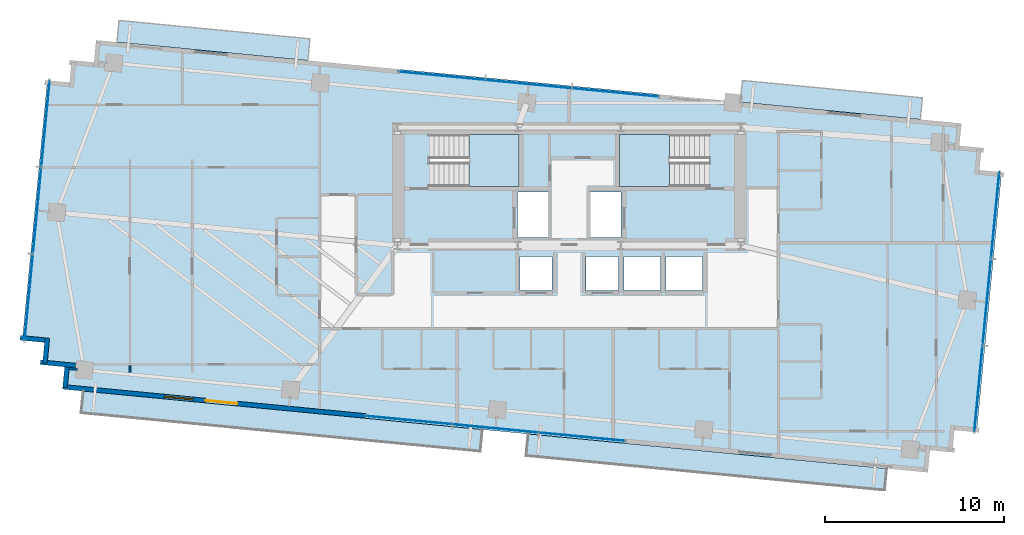
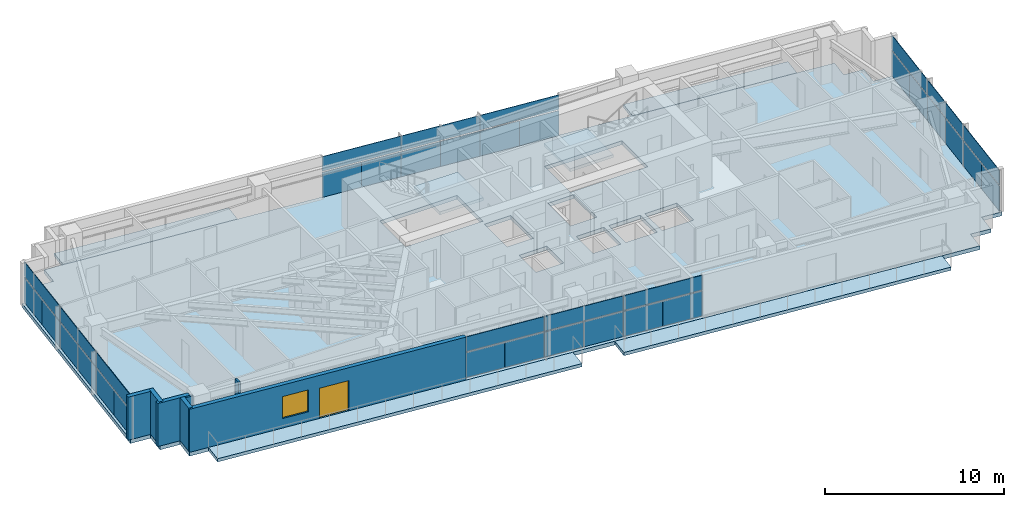
# One storey, part 13 of 19: 36 plates, 7 slabs, 7 walls, 1 door, 1 window, 2 openings, 6 elements without a shape of their own.
"""IFC4 building model written with IfcOpenShell, lengths in metres."""

from ifc_helpers import new_model, si_unit, direction, frame, frame_2d, origin, origin_2d, place, context, subcontext, project, spatial, polyline, rectangle, outline, extrude, source, transform, mapped, material, layer, layer_set, type_object, type_shapes, element, fill, aggregate, save


model = new_model("IFC4")

# Units and contexts
model_context = context("Model", 3, precision=1e-05, world=origin(), true_north=direction((0.0, 1.0)))
body_context = subcontext(model_context, "Body", "Model", "MODEL_VIEW")
ifc_project = project(units=[si_unit("LENGTHUNIT", "METRE"), si_unit("AREAUNIT", "SQUARE_METRE"), si_unit("VOLUMEUNIT", "CUBIC_METRE"), si_unit("PLANEANGLEUNIT", "RADIAN"), si_unit("MASSUNIT", "GRAM", prefix="KILO")], contexts=[model_context])

# Site, building, storey
site_placement = place(None, origin())
site = spatial("IfcSite", under=ifc_project, at=site_placement, CompositionType="ELEMENT")
building_placement = place(site_placement, origin())
building = spatial("IfcBuilding", under=site, at=building_placement, Name="Astriad Promenade Condominiums", CompositionType="ELEMENT")
storey_placement = place(building_placement, frame((0.0, 0.0, 143.800048828125)))
storey = spatial("IfcBuildingStorey", under=building, at=storey_placement, Name="L41", CompositionType="ELEMENT", Elevation=143.800048828125)

# Slab
ifc_material_1 = material(Name="Concrete C50/60", Category="concrete")
ifc_layer_1 = layer(ifc_material_1, 0.260009765625)
ifc_layer_set_1 = layer_set([ifc_layer_1], Name="Concrete C50/60")
slab_type_1 = type_object("IfcSlabType", Name="CONCRETE TOWER FLOOR SLAB 260", PredefinedType="FLOOR", material=ifc_layer_set_1)
slab_1_placement = place(storey_placement, frame((0.0, 0.0, -0.260009765625)))
element("IfcSlab", 1, at=slab_1_placement, inside=storey, type_object=slab_type_1, Name="Structural Floor Slab (L41)", PredefinedType="FLOOR", context=body_context, shape_type="SweptSolid", body=[
    extrude(outline(polyline([(7.672607421875, 9.374267578125), (56.048828125, 4.716064453125), (56.168701171875, 5.960205078125), (57.412841796875, 5.840576171875), (57.53271484375, 7.084716796875), (58.77685546875, 6.96484375), (60.17626953125, 21.497802734375), (58.931884765625, 21.617431640625), (59.052001953125, 22.86181640625), (57.8076171875, 22.981689453125), (57.927490234375, 24.225830078125), (9.55126953125, 28.8837890625), (9.431396484375, 27.6396484375), (8.18701171875, 27.759521484375), (8.0673828125, 26.515380859375), (6.822998046875, 26.635009765625), (5.423583984375, 12.102294921875), (6.66796875, 11.982421875), (6.548095703125, 10.73828125), (7.79248046875, 10.618408203125), (7.672607421875, 9.374267578125)]), holes=[polyline([(28.175048828125, 20.699951171875), (33.175048828125, 20.699951171875), (33.175048828125, 23.60009765625), (28.175048828125, 23.60009765625), (28.175048828125, 20.699951171875)]), polyline([(38.824951171875, 20.699951171875), (43.824951171875, 20.699951171875), (43.824951171875, 23.60009765625), (38.824951171875, 23.60009765625), (38.824951171875, 20.699951171875)]), polyline([(33.10009765625, 17.85009765625), (34.800048828125, 17.85009765625), (34.800048828125, 20.39990234375), (33.10009765625, 20.39990234375), (33.10009765625, 17.85009765625)]), polyline([(37.199951171875, 17.85009765625), (38.89990234375, 17.85009765625), (38.89990234375, 20.39990234375), (37.199951171875, 20.39990234375), (37.199951171875, 17.85009765625)]), polyline([(33.25, 14.89990234375), (35.050048828125, 14.89990234375), (35.050048828125, 16.800048828125), (33.25, 16.800048828125), (33.25, 14.89990234375)]), polyline([(36.949951171875, 14.89990234375), (38.75, 14.89990234375), (38.75, 16.800048828125), (36.949951171875, 16.800048828125), (36.949951171875, 14.89990234375)]), polyline([(39.050048828125, 14.89990234375), (41.10009765625, 14.89990234375), (41.10009765625, 16.800048828125), (39.050048828125, 16.800048828125), (39.050048828125, 14.89990234375)]), polyline([(41.39990234375, 14.89990234375), (43.449951171875, 14.89990234375), (43.449951171875, 16.800048828125), (41.39990234375, 16.800048828125), (41.39990234375, 14.89990234375)])]), origin(), (0.0, 0.0, 1.0), 0.260009765625),
])

# Stair, slab
stair_type = type_object("IfcStairType", Name="STR-CORE-1350", PredefinedType="HALF_TURN_STAIR", material=ifc_material_1)
stair_1_placement = place(storey_placement, origin())
stair_1 = element("IfcStair", 2, at=stair_1_placement, inside=storey, type_object=stair_type, Name="L41 Enclosed Core Exit Stair ST-1", PredefinedType="HALF_TURN_STAIR")
ifc_layer_2 = layer(ifc_material_1, 0.219970703125)
ifc_layer_set_2 = layer_set([ifc_layer_2], Name="Concrete C50/60")
slab_type_2 = type_object("IfcSlabType", Name="SLB-LANDING-220", PredefinedType="LANDING", material=ifc_layer_set_2)
slab_2_placement = place(storey_placement, frame((0.0, 0.0, 1.39990234375)))
slab_2 = element("IfcSlab", 3, at=slab_2_placement, type_object=slab_type_2, Name="ST-1 landing 1", PredefinedType="LANDING", context=body_context, shape_type="SweptSolid", body=[
    extrude(outline(polyline([(30.389892578125, 20.699951171875), (33.199951171875, 20.699951171875), (33.199951171875, 23.60009765625), (30.389892578125, 23.60009765625), (30.389892578125, 20.699951171875)])), origin(), (0.0, 0.0, 1.0), 0.199951171875),
])
aggregate(stair_1, [slab_2])

stair_2_placement = place(storey_placement, origin())
stair_2 = element("IfcStair", 4, at=stair_2_placement, inside=storey, type_object=stair_type, Name="L41 Enclosed Core Exit Stair ST-2", PredefinedType="HALF_TURN_STAIR")
slab_3_placement = place(storey_placement, frame((0.0, 0.0, 1.39990234375)))
slab_3 = element("IfcSlab", 5, at=slab_3_placement, type_object=slab_type_2, Name="ST-2 landing 1", PredefinedType="LANDING", context=body_context, shape_type="SweptSolid", body=[
    extrude(outline(polyline([(41.610107421875, 23.60009765625), (38.800048828125, 23.60009765625), (38.800048828125, 20.699951171875), (41.610107421875, 20.699951171875), (41.610107421875, 23.60009765625)])), origin(), (0.0, 0.0, 1.0), 0.199951171875),
])
aggregate(stair_2, [slab_3])

# Slabs
ifc_material_2 = material(Name="Precast concrete C50/60", Category="concrete")
ifc_layer_3 = layer(ifc_material_2, 0.219970703125)
ifc_layer_set_3 = layer_set([ifc_layer_3], Name="Precast concrete C50/60")
slab_type_3 = type_object("IfcSlabType", Name="WHITE PRECAST CONCRETE WAVE BALCONY SLAB 220", PredefinedType="FLOOR", material=ifc_layer_set_3)
slab_4_placement = place(storey_placement, frame((0.0, 0.0, -0.219970703125)))
element("IfcSlab", 6, at=slab_4_placement, inside=storey, type_object=slab_type_3, Name="White Precast Wave Balcony Slab BAL-L41-SW", PredefinedType="FLOOR", context=body_context, shape_type="SweptSolid", body=[
    extrude(outline(polyline([(8.71728515625, 8.0478515625), (31.025146484375, 5.89990234375), (31.14208984375, 7.1142578125), (8.834228515625, 9.26220703125), (8.71728515625, 8.0478515625)])), origin(), (0.0, 0.0, 1.0), 0.219970703125),
])
slab_5_placement = place(storey_placement, frame((0.0, 0.0, -0.219970703125)))
element("IfcSlab", 7, at=slab_5_placement, inside=storey, type_object=slab_type_3, Name="White Precast Wave Balcony Slab BAL-L41-SE", PredefinedType="FLOOR", context=body_context, shape_type="SweptSolid", body=[
    extrude(outline(polyline([(53.631591796875, 3.72314453125), (33.59130859375, 5.65283203125), (33.7080078125, 6.865234375), (53.748291015625, 4.935546875), (53.631591796875, 3.72314453125)])), origin(), (0.0, 0.0, 1.0), 0.219970703125),
])
slab_6_placement = place(storey_placement, frame((0.0, 0.0, -0.219970703125)))
element("IfcSlab", 8, at=slab_6_placement, inside=storey, type_object=slab_type_3, Name="White Precast Wave Balcony Slab BAL-L41-NW", PredefinedType="FLOOR", context=body_context, shape_type="SweptSolid", body=[
    extrude(outline(polyline([(10.712890625, 28.772216796875), (21.386474609375, 27.744384765625), (21.50341796875, 28.958740234375), (10.82958984375, 29.986572265625), (10.712890625, 28.772216796875)])), origin(), (0.0, 0.0, 1.0), 0.219970703125),
])
slab_7_placement = place(storey_placement, frame((0.0, 0.0, -0.219970703125)))
element("IfcSlab", 9, at=slab_7_placement, inside=storey, type_object=slab_type_3, Name="White Precast Wave Balcony Slab BAL-L41-NE", PredefinedType="FLOOR", context=body_context, shape_type="SweptSolid", body=[
    extrude(outline(polyline([(45.681396484375, 26.630615234375), (55.743896484375, 25.66162109375), (55.627197265625, 24.44921875), (45.564697265625, 25.418212890625), (45.681396484375, 26.630615234375)])), origin(), (0.0, 0.0, 1.0), 0.219970703125),
])

# Curtain wall, plates
ifc_material_3 = material(Name="Anodised aluminium Black Dark Glass Unitised", Category="aluminium")
curtain_wall_type = type_object("IfcCurtainWallType", Name="CW-B34-DARK", PredefinedType="USERDEFINED", material=ifc_material_3)
curtain_wall_1_placement = place(storey_placement, origin())
curtain_wall_1 = element("IfcCurtainWall", 10, at=curtain_wall_1_placement, inside=storey, type_object=curtain_wall_type, Name="CW-L41-W", ObjectType="UNITISED_CURTAIN_WALL", PredefinedType="USERDEFINED")
ifc_material_4 = material(Name="Dark Tinted Low-E Laminated Glass", Category="glass")
ifc_layer_4 = layer(ifc_material_4, 0.035888671875)
ifc_layer_set_4 = layer_set([ifc_layer_4], Name="Dark Tinted Low-E Laminated Glass")
plate_type = type_object("IfcPlateType", Name="PNL-DARK-GLASS-36", PredefinedType="CURTAIN_PANEL", material=ifc_layer_set_4)
shared_shape_1 = source(origin(), body_context, "Body", "SweptSolid", [
    extrude(rectangle(XDim=2.42138671875, YDim=0.035888671875, at=origin_2d()), origin(), (0.0, 0.0, 1.0), 1.702880859375),
])
plate_1_placement = place(storey_placement, frame((5.669677734375, 13.30078125, 0.080078125), z_axis=(0.0, 0.0, 1.0), x_axis=(0.09584575252, 0.995396198367, 0.0)))
plate_1 = element("IfcPlate", 11, at=plate_1_placement, type_object=plate_type, Name="CW-L41-W-PNL-00-VL", PredefinedType="CURTAIN_PANEL", context=body_context, shape_type="MappedRepresentation", body=[
    mapped(shared_shape_1, transform((0.0, 0.0, 0.0), scale=1.0)),
])
plate_2_placement = place(storey_placement, frame((5.903076171875, 15.722900390625, 0.080078125), z_axis=(0.0, 0.0, 1.0), x_axis=(0.09584575252, 0.995396198367, 0.0)))
plate_2 = element("IfcPlate", 12, at=plate_2_placement, type_object=plate_type, Name="CW-L41-W-PNL-00-VR", PredefinedType="CURTAIN_PANEL", context=body_context, shape_type="MappedRepresentation", body=[
    mapped(shared_shape_1, transform((0.0, 0.0, 0.0), scale=1.0)),
])
plate_3_placement = place(storey_placement, frame((6.13623046875, 18.145263671875, 0.080078125), z_axis=(0.0, 0.0, 1.0), x_axis=(0.09584575252, 0.995396198367, 0.0)))
plate_3 = element("IfcPlate", 13, at=plate_3_placement, type_object=plate_type, Name="CW-L41-W-PNL-01-VL", PredefinedType="CURTAIN_PANEL", context=body_context, shape_type="MappedRepresentation", body=[
    mapped(shared_shape_1, transform((0.0, 0.0, 0.0), scale=1.0)),
])
plate_4_placement = place(storey_placement, frame((6.369384765625, 20.5673828125, 0.080078125), z_axis=(0.0, 0.0, 1.0), x_axis=(0.09584575252, 0.995396198367, 0.0)))
plate_4 = element("IfcPlate", 14, at=plate_4_placement, type_object=plate_type, Name="CW-L41-W-PNL-01-VR", PredefinedType="CURTAIN_PANEL", context=body_context, shape_type="MappedRepresentation", body=[
    mapped(shared_shape_1, transform((0.0, 0.0, 0.0), scale=1.0)),
])
plate_5_placement = place(storey_placement, frame((6.6025390625, 22.989501953125, 0.080078125), z_axis=(0.0, 0.0, 1.0), x_axis=(0.09584575252, 0.995396198367, 0.0)))
plate_5 = element("IfcPlate", 15, at=plate_5_placement, type_object=plate_type, Name="CW-L41-W-PNL-02-VL", PredefinedType="CURTAIN_PANEL", context=body_context, shape_type="MappedRepresentation", body=[
    mapped(shared_shape_1, transform((0.0, 0.0, 0.0), scale=1.0)),
])
plate_6_placement = place(storey_placement, frame((6.8359375, 25.41162109375, 0.080078125), z_axis=(0.0, 0.0, 1.0), x_axis=(0.09584575252, 0.995396198367, 0.0)))
plate_6 = element("IfcPlate", 16, at=plate_6_placement, type_object=plate_type, Name="CW-L41-W-PNL-02-VR", PredefinedType="CURTAIN_PANEL", context=body_context, shape_type="MappedRepresentation", body=[
    mapped(shared_shape_1, transform((0.0, 0.0, 0.0), scale=1.0)),
])

curtain_wall_2_placement = place(storey_placement, origin())
curtain_wall_2 = element("IfcCurtainWall", 17, at=curtain_wall_2_placement, inside=storey, type_object=curtain_wall_type, Name="CW-L41-E", ObjectType="UNITISED_CURTAIN_WALL", PredefinedType="USERDEFINED")
plate_7_placement = place(storey_placement, frame((59.930419921875, 20.299072265625, 0.080078125), z_axis=(0.0, 0.0, 1.0), x_axis=(-0.09584575252, -0.995396198367, 0.0)))
plate_7 = element("IfcPlate", 18, at=plate_7_placement, type_object=plate_type, Name="CW-L41-E-PNL-00-VL", PredefinedType="CURTAIN_PANEL", context=body_context, shape_type="MappedRepresentation", body=[
    mapped(shared_shape_1, transform((0.0, 0.0, 0.0), scale=1.0)),
])
plate_8_placement = place(storey_placement, frame((59.697021484375, 17.876953125, 0.080078125), z_axis=(0.0, 0.0, 1.0), x_axis=(-0.09584575252, -0.995396198367, 0.0)))
plate_8 = element("IfcPlate", 19, at=plate_8_placement, type_object=plate_type, Name="CW-L41-E-PNL-00-VR", PredefinedType="CURTAIN_PANEL", context=body_context, shape_type="MappedRepresentation", body=[
    mapped(shared_shape_1, transform((0.0, 0.0, 0.0), scale=1.0)),
])
plate_9_placement = place(storey_placement, frame((59.4638671875, 15.454833984375, 0.080078125), z_axis=(0.0, 0.0, 1.0), x_axis=(-0.09584575252, -0.995396198367, 0.0)))
plate_9 = element("IfcPlate", 20, at=plate_9_placement, type_object=plate_type, Name="CW-L41-E-PNL-01-VL", PredefinedType="CURTAIN_PANEL", context=body_context, shape_type="MappedRepresentation", body=[
    mapped(shared_shape_1, transform((0.0, 0.0, 0.0), scale=1.0)),
])
plate_10_placement = place(storey_placement, frame((59.230712890625, 13.03271484375, 0.080078125), z_axis=(0.0, 0.0, 1.0), x_axis=(-0.09584575252, -0.995396198367, 0.0)))
plate_10 = element("IfcPlate", 21, at=plate_10_placement, type_object=plate_type, Name="CW-L41-E-PNL-01-VR", PredefinedType="CURTAIN_PANEL", context=body_context, shape_type="MappedRepresentation", body=[
    mapped(shared_shape_1, transform((0.0, 0.0, 0.0), scale=1.0)),
])
plate_11_placement = place(storey_placement, frame((58.997314453125, 10.610595703125, 0.080078125), z_axis=(0.0, 0.0, 1.0), x_axis=(-0.09584575252, -0.995396198367, 0.0)))
plate_11 = element("IfcPlate", 22, at=plate_11_placement, type_object=plate_type, Name="CW-L41-E-PNL-02-VL", PredefinedType="CURTAIN_PANEL", context=body_context, shape_type="MappedRepresentation", body=[
    mapped(shared_shape_1, transform((0.0, 0.0, 0.0), scale=1.0)),
])
plate_12_placement = place(storey_placement, frame((58.76416015625, 8.1884765625, 0.080078125), z_axis=(0.0, 0.0, 1.0), x_axis=(-0.09584575252, -0.995396198367, 0.0)))
plate_12 = element("IfcPlate", 23, at=plate_12_placement, type_object=plate_type, Name="CW-L41-E-PNL-02-VR", PredefinedType="CURTAIN_PANEL", context=body_context, shape_type="MappedRepresentation", body=[
    mapped(shared_shape_1, transform((0.0, 0.0, 0.0), scale=1.0)),
])

# Plate
shared_shape_2 = source(origin(), body_context, "Body", "SweptSolid", [
    extrude(rectangle(XDim=4.854736328125, YDim=0.035888671875, at=origin_2d()), origin(), (0.0, 0.0, 1.0), 0.997314453125),
])
plate_13_placement = place(storey_placement, frame((5.786376953125, 14.511962890625, 1.86279296875), z_axis=(0.0, 0.0, 1.0), x_axis=(0.09584575252, 0.995396198367, 0.0)))
plate_13 = element("IfcPlate", 24, at=plate_13_placement, type_object=plate_type, Name="CW-L41-W-PNL-00-S", PredefinedType="CURTAIN_PANEL", context=body_context, shape_type="MappedRepresentation", body=[
    mapped(shared_shape_2, transform((0.0, 0.0, 0.0), scale=1.0)),
])

plate_14_placement = place(storey_placement, frame((6.252685546875, 19.356201171875, 1.86279296875), z_axis=(0.0, 0.0, 1.0), x_axis=(0.09584575252, 0.995396198367, 0.0)))
plate_14 = element("IfcPlate", 25, at=plate_14_placement, type_object=plate_type, Name="CW-L41-W-PNL-01-S", PredefinedType="CURTAIN_PANEL", context=body_context, shape_type="MappedRepresentation", body=[
    mapped(shared_shape_2, transform((0.0, 0.0, 0.0), scale=1.0)),
])

plate_15_placement = place(storey_placement, frame((6.71923828125, 24.200439453125, 1.86279296875), z_axis=(0.0, 0.0, 1.0), x_axis=(0.09584575252, 0.995396198367, 0.0)))
plate_15 = element("IfcPlate", 26, at=plate_15_placement, type_object=plate_type, Name="CW-L41-W-PNL-02-S", PredefinedType="CURTAIN_PANEL", context=body_context, shape_type="MappedRepresentation", body=[
    mapped(shared_shape_2, transform((0.0, 0.0, 0.0), scale=1.0)),
])

aggregate(curtain_wall_1, [plate_1, plate_2, plate_13, plate_3, plate_4, plate_14, plate_5, plate_6, plate_15])

plate_16_placement = place(storey_placement, frame((59.813720703125, 19.088134765625, 1.86279296875), z_axis=(0.0, 0.0, 1.0), x_axis=(-0.09584575252, -0.995396198367, 0.0)))
plate_16 = element("IfcPlate", 27, at=plate_16_placement, type_object=plate_type, Name="CW-L41-E-PNL-00-S", PredefinedType="CURTAIN_PANEL", context=body_context, shape_type="MappedRepresentation", body=[
    mapped(shared_shape_2, transform((0.0, 0.0, 0.0), scale=1.0)),
])

plate_17_placement = place(storey_placement, frame((59.34716796875, 14.243896484375, 1.86279296875), z_axis=(0.0, 0.0, 1.0), x_axis=(-0.09584575252, -0.995396198367, 0.0)))
plate_17 = element("IfcPlate", 28, at=plate_17_placement, type_object=plate_type, Name="CW-L41-E-PNL-01-S", PredefinedType="CURTAIN_PANEL", context=body_context, shape_type="MappedRepresentation", body=[
    mapped(shared_shape_2, transform((0.0, 0.0, 0.0), scale=1.0)),
])

plate_18_placement = place(storey_placement, frame((58.880615234375, 9.3994140625, 1.86279296875), z_axis=(0.0, 0.0, 1.0), x_axis=(-0.09584575252, -0.995396198367, 0.0)))
plate_18 = element("IfcPlate", 29, at=plate_18_placement, type_object=plate_type, Name="CW-L41-E-PNL-02-S", PredefinedType="CURTAIN_PANEL", context=body_context, shape_type="MappedRepresentation", body=[
    mapped(shared_shape_2, transform((0.0, 0.0, 0.0), scale=1.0)),
])

aggregate(curtain_wall_2, [plate_7, plate_8, plate_16, plate_9, plate_10, plate_17, plate_11, plate_12, plate_18])

# Curtain wall, plates
curtain_wall_3_placement = place(storey_placement, origin())
curtain_wall_3 = element("IfcCurtainWall", 30, at=curtain_wall_3_placement, inside=storey, type_object=curtain_wall_type, Name="CW-L41-N", ObjectType="UNITISED_CURTAIN_WALL", PredefinedType="USERDEFINED")
shared_shape_3 = source(origin(), body_context, "Body", "SweptSolid", [
    extrude(rectangle(XDim=2.41796875, YDim=0.035888671875, at=origin_2d()), origin(), (0.0, 0.0, 1.0), 1.702880859375),
])
plate_19_placement = place(storey_placement, frame((27.6796875, 27.0078125, 0.080078125), z_axis=(0.0, 0.0, 1.0), x_axis=(0.995396198367, -0.09584575252, 0.0)))
plate_19 = element("IfcPlate", 31, at=plate_19_placement, type_object=plate_type, Name="CW-L41-N-PNL-00-VL", PredefinedType="CURTAIN_PANEL", context=body_context, shape_type="MappedRepresentation", body=[
    mapped(shared_shape_3, transform((0.0, 0.0, 0.0), scale=1.0)),
])
plate_20_placement = place(storey_placement, frame((30.0986328125, 26.77490234375, 0.080078125), z_axis=(0.0, 0.0, 1.0), x_axis=(0.995396198367, -0.09584575252, 0.0)))
plate_20 = element("IfcPlate", 32, at=plate_20_placement, type_object=plate_type, Name="CW-L41-N-PNL-00-VR", PredefinedType="CURTAIN_PANEL", context=body_context, shape_type="MappedRepresentation", body=[
    mapped(shared_shape_3, transform((0.0, 0.0, 0.0), scale=1.0)),
])
plate_21_placement = place(storey_placement, frame((32.517333984375, 26.5419921875, 0.080078125), z_axis=(0.0, 0.0, 1.0), x_axis=(0.995396198367, -0.09584575252, 0.0)))
plate_21 = element("IfcPlate", 33, at=plate_21_placement, type_object=plate_type, Name="CW-L41-N-PNL-01-VL", PredefinedType="CURTAIN_PANEL", context=body_context, shape_type="MappedRepresentation", body=[
    mapped(shared_shape_3, transform((0.0, 0.0, 0.0), scale=1.0)),
])
plate_22_placement = place(storey_placement, frame((34.936279296875, 26.30908203125, 0.080078125), z_axis=(0.0, 0.0, 1.0), x_axis=(0.995396198367, -0.09584575252, 0.0)))
plate_22 = element("IfcPlate", 34, at=plate_22_placement, type_object=plate_type, Name="CW-L41-N-PNL-01-VR", PredefinedType="CURTAIN_PANEL", context=body_context, shape_type="MappedRepresentation", body=[
    mapped(shared_shape_3, transform((0.0, 0.0, 0.0), scale=1.0)),
])
plate_23_placement = place(storey_placement, frame((37.35498046875, 26.075927734375, 0.080078125), z_axis=(0.0, 0.0, 1.0), x_axis=(0.995396198367, -0.09584575252, 0.0)))
plate_23 = element("IfcPlate", 35, at=plate_23_placement, type_object=plate_type, Name="CW-L41-N-PNL-02-VL", PredefinedType="CURTAIN_PANEL", context=body_context, shape_type="MappedRepresentation", body=[
    mapped(shared_shape_3, transform((0.0, 0.0, 0.0), scale=1.0)),
])
plate_24_placement = place(storey_placement, frame((39.77392578125, 25.84326171875, 0.080078125), z_axis=(0.0, 0.0, 1.0), x_axis=(0.995396198367, -0.09584575252, 0.0)))
plate_24 = element("IfcPlate", 36, at=plate_24_placement, type_object=plate_type, Name="CW-L41-N-PNL-02-VR", PredefinedType="CURTAIN_PANEL", context=body_context, shape_type="MappedRepresentation", body=[
    mapped(shared_shape_3, transform((0.0, 0.0, 0.0), scale=1.0)),
])

curtain_wall_4_placement = place(storey_placement, origin())
curtain_wall_4 = element("IfcCurtainWall", 37, at=curtain_wall_4_placement, inside=storey, type_object=curtain_wall_type, Name="CW-L41-S", ObjectType="UNITISED_CURTAIN_WALL", PredefinedType="USERDEFINED")
plate_25_placement = place(storey_placement, frame((37.920166015625, 6.59228515625, 0.080078125), z_axis=(0.0, 0.0, 1.0), x_axis=(-0.995396198367, 0.09584575252, 0.0)))
plate_25 = element("IfcPlate", 38, at=plate_25_placement, type_object=plate_type, Name="CW-L41-S-PNL-00-VL", PredefinedType="CURTAIN_PANEL", context=body_context, shape_type="MappedRepresentation", body=[
    mapped(shared_shape_3, transform((0.0, 0.0, 0.0), scale=1.0)),
])
plate_26_placement = place(storey_placement, frame((35.50146484375, 6.8251953125, 0.080078125), z_axis=(0.0, 0.0, 1.0), x_axis=(-0.995396198367, 0.09584575252, 0.0)))
plate_26 = element("IfcPlate", 39, at=plate_26_placement, type_object=plate_type, Name="CW-L41-S-PNL-00-VR", PredefinedType="CURTAIN_PANEL", context=body_context, shape_type="MappedRepresentation", body=[
    mapped(shared_shape_3, transform((0.0, 0.0, 0.0), scale=1.0)),
])
plate_27_placement = place(storey_placement, frame((33.08251953125, 7.05810546875, 0.080078125), z_axis=(0.0, 0.0, 1.0), x_axis=(-0.995396198367, 0.09584575252, 0.0)))
plate_27 = element("IfcPlate", 40, at=plate_27_placement, type_object=plate_type, Name="CW-L41-S-PNL-01-VL", PredefinedType="CURTAIN_PANEL", context=body_context, shape_type="MappedRepresentation", body=[
    mapped(shared_shape_3, transform((0.0, 0.0, 0.0), scale=1.0)),
])
plate_28_placement = place(storey_placement, frame((30.663818359375, 7.291015625, 0.080078125), z_axis=(0.0, 0.0, 1.0), x_axis=(-0.995396198367, 0.09584575252, 0.0)))
plate_28 = element("IfcPlate", 41, at=plate_28_placement, type_object=plate_type, Name="CW-L41-S-PNL-01-VR", PredefinedType="CURTAIN_PANEL", context=body_context, shape_type="MappedRepresentation", body=[
    mapped(shared_shape_3, transform((0.0, 0.0, 0.0), scale=1.0)),
])
plate_29_placement = place(storey_placement, frame((28.244873046875, 7.52392578125, 0.080078125), z_axis=(0.0, 0.0, 1.0), x_axis=(-0.995396198367, 0.09584575252, 0.0)))
plate_29 = element("IfcPlate", 42, at=plate_29_placement, type_object=plate_type, Name="CW-L41-S-PNL-02-VL", PredefinedType="CURTAIN_PANEL", context=body_context, shape_type="MappedRepresentation", body=[
    mapped(shared_shape_3, transform((0.0, 0.0, 0.0), scale=1.0)),
])
plate_30_placement = place(storey_placement, frame((25.826171875, 7.7568359375, 0.080078125), z_axis=(0.0, 0.0, 1.0), x_axis=(-0.995396198367, 0.09584575252, 0.0)))
plate_30 = element("IfcPlate", 43, at=plate_30_placement, type_object=plate_type, Name="CW-L41-S-PNL-02-VR", PredefinedType="CURTAIN_PANEL", context=body_context, shape_type="MappedRepresentation", body=[
    mapped(shared_shape_3, transform((0.0, 0.0, 0.0), scale=1.0)),
])

# Plate
shared_shape_4 = source(origin(), body_context, "Body", "SweptSolid", [
    extrude(rectangle(XDim=4.847900390625, YDim=0.035888671875, at=origin_2d()), origin(), (0.0, 0.0, 1.0), 0.997314453125),
])
type_shapes(plate_type, [shared_shape_1, shared_shape_2, shared_shape_3, shared_shape_4])
plate_31_placement = place(storey_placement, frame((28.88916015625, 26.891357421875, 1.86279296875), z_axis=(0.0, 0.0, 1.0), x_axis=(0.995396198367, -0.09584575252, 0.0)))
plate_31 = element("IfcPlate", 44, at=plate_31_placement, type_object=plate_type, Name="CW-L41-N-PNL-00-S", PredefinedType="CURTAIN_PANEL", context=body_context, shape_type="MappedRepresentation", body=[
    mapped(shared_shape_4, transform((0.0, 0.0, 0.0), scale=1.0)),
])

plate_32_placement = place(storey_placement, frame((33.726806640625, 26.42529296875, 1.86279296875), z_axis=(0.0, 0.0, 1.0), x_axis=(0.995396198367, -0.09584575252, 0.0)))
plate_32 = element("IfcPlate", 45, at=plate_32_placement, type_object=plate_type, Name="CW-L41-N-PNL-01-S", PredefinedType="CURTAIN_PANEL", context=body_context, shape_type="MappedRepresentation", body=[
    mapped(shared_shape_4, transform((0.0, 0.0, 0.0), scale=1.0)),
])

plate_33_placement = place(storey_placement, frame((38.564453125, 25.959716796875, 1.86279296875), z_axis=(0.0, 0.0, 1.0), x_axis=(0.995396198367, -0.09584575252, 0.0)))
plate_33 = element("IfcPlate", 46, at=plate_33_placement, type_object=plate_type, Name="CW-L41-N-PNL-02-S", PredefinedType="CURTAIN_PANEL", context=body_context, shape_type="MappedRepresentation", body=[
    mapped(shared_shape_4, transform((0.0, 0.0, 0.0), scale=1.0)),
])

aggregate(curtain_wall_3, [plate_19, plate_20, plate_31, plate_21, plate_22, plate_32, plate_23, plate_24, plate_33])

plate_34_placement = place(storey_placement, frame((36.710693359375, 6.708740234375, 1.86279296875), z_axis=(0.0, 0.0, 1.0), x_axis=(-0.995396198367, 0.09584575252, 0.0)))
plate_34 = element("IfcPlate", 47, at=plate_34_placement, type_object=plate_type, Name="CW-L41-S-PNL-00-S", PredefinedType="CURTAIN_PANEL", context=body_context, shape_type="MappedRepresentation", body=[
    mapped(shared_shape_4, transform((0.0, 0.0, 0.0), scale=1.0)),
])

plate_35_placement = place(storey_placement, frame((31.873291015625, 7.174560546875, 1.86279296875), z_axis=(0.0, 0.0, 1.0), x_axis=(-0.995396198367, 0.09584575252, 0.0)))
plate_35 = element("IfcPlate", 48, at=plate_35_placement, type_object=plate_type, Name="CW-L41-S-PNL-01-S", PredefinedType="CURTAIN_PANEL", context=body_context, shape_type="MappedRepresentation", body=[
    mapped(shared_shape_4, transform((0.0, 0.0, 0.0), scale=1.0)),
])

plate_36_placement = place(storey_placement, frame((27.035400390625, 7.640380859375, 1.86279296875), z_axis=(0.0, 0.0, 1.0), x_axis=(-0.995396198367, 0.09584575252, 0.0)))
plate_36 = element("IfcPlate", 49, at=plate_36_placement, type_object=plate_type, Name="CW-L41-S-PNL-02-S", PredefinedType="CURTAIN_PANEL", context=body_context, shape_type="MappedRepresentation", body=[
    mapped(shared_shape_4, transform((0.0, 0.0, 0.0), scale=1.0)),
])

aggregate(curtain_wall_4, [plate_25, plate_26, plate_34, plate_27, plate_28, plate_35, plate_29, plate_30, plate_36])

# Walls
ifc_layer_5 = layer(ifc_material_2, 0.260009765625)
ifc_layer_set_5 = layer_set([ifc_layer_5], Name="Precast concrete C50/60")
wall_type_1 = type_object("IfcWallType", Name="WALL-EXT-TWR-260", PredefinedType="STANDARD", material=ifc_layer_set_5)
wall_1_placement = place(storey_placement, frame((8.400146484375, 10.6904296875, 0.0), z_axis=(0.0, 0.0, 1.0), x_axis=(-0.995391147587, 0.095898192396, 0.0)))
element("IfcWall", 50, at=wall_1_placement, inside=storey, type_object=wall_type_1, Name="W-SER-L41-00", PredefinedType="STANDARD", context=body_context, shape_type="SweptSolid", body=[
    extrude(rectangle(XDim=1.97802734375, YDim=0.260009765625, at=frame_2d((0.989013671875, 0.0))), origin(), (0.0, 0.0, 1.0), 2.93994140625),
])
wall_2_placement = place(storey_placement, frame((6.6884765625, 10.840087890625, 0.0), z_axis=(0.0, 0.0, 1.0), x_axis=(0.09589913835, 0.995391056452, 0.0)))
element("IfcWall", 51, at=wall_2_placement, inside=storey, type_object=wall_type_1, Name="W-SER-L41-01", PredefinedType="STANDARD", context=body_context, shape_type="SweptSolid", body=[
    extrude(rectangle(XDim=1.39501953125, YDim=0.260009765625, at=frame_2d((0.697509765625, 0.0))), origin(), (0.0, 0.0, 1.0), 2.93994140625),
])
wall_3_placement = place(storey_placement, frame((6.6953125, 12.110595703125, 0.0), z_axis=(0.0, 0.0, 1.0), x_axis=(-0.99540614245, 0.095742423056, 0.0)))
element("IfcWall", 52, at=wall_3_placement, inside=storey, type_object=wall_type_1, Name="W-SER-L41-02", PredefinedType="STANDARD", context=body_context, shape_type="SweptSolid", body=[
    extrude(rectangle(XDim=1.394775390625, YDim=0.260009765625, at=frame_2d((0.697265625, 0.0))), origin(), (0.0, 0.0, 1.0), 2.93994140625),
])

# Wall, openings, door, window
wall_4_placement = place(storey_placement, frame((24.61669921875, 7.873291015625, 0.0), z_axis=(0.0, 0.0, 1.0), x_axis=(-0.995395976631, 0.095848055311, 0.0)))
wall_4 = element("IfcWall", 53, at=wall_4_placement, inside=storey, type_object=wall_type_1, Name="W-EXT-L41-S2", PredefinedType="STANDARD", context=body_context, shape_type="SweptSolid", body=[
    extrude(rectangle(XDim=17.010009765625, YDim=0.260009765625, at=frame_2d((8.5048828125, 0.0))), origin(), (0.0, 0.0, 1.0), 2.93994140625),
])
opening_1_placement = place(wall_4_placement, frame((7.2099609375, 0.0, 0.0)))
opening_1 = element("IfcOpeningElement", 54, at=opening_1_placement, cuts=wall_4, Name="Opening BD-1822-SLD", PredefinedType="OPENING", context=body_context, shape_type="SweptSolid", body=[
    extrude(rectangle(XDim=1.800048828125, YDim=2.06005859375, at=frame_2d((0.89990234375, 1.030029296875))), frame((0.0, 0.139892578125, 0.0), z_axis=(0.0, -1.0, 0.0), x_axis=(1.0, 0.0, 0.0)), (0.0, 0.0, 1.0), 0.280029296875),
])
opening_2_placement = place(wall_4_placement, frame((9.699951171875, 0.0, 0.64990234375)))
opening_2 = element("IfcOpeningElement", 55, at=opening_2_placement, cuts=wall_4, Name="Opening WIN-TWR-1620", PredefinedType="OPENING", context=body_context, shape_type="SweptSolid", body=[
    extrude(rectangle(XDim=1.60009765625, YDim=1.5, at=frame_2d((0.800048828125, 0.75))), frame((0.0, 0.139892578125, 0.0), z_axis=(0.0, -1.0, 0.0), x_axis=(1.0, 0.0, 0.0)), (0.0, 0.0, 1.0), 0.280029296875),
])
ifc_material_5 = material(Name="Thermally Broken Aluminium Sliding Balcony Door", Category="aluminium")
door_type = type_object("IfcDoorType", Name="BD-1822-SLD", OperationType="NOTDEFINED", PredefinedType="DOOR", material=ifc_material_5)
shared_shape_5 = source(origin(), body_context, "Body", "SweptSolid", [
    extrude(rectangle(XDim=1.800048828125, YDim=2.06005859375, at=frame_2d((0.89990234375, 1.030029296875))), frame((0.0, 0.02490234375, 0.0), z_axis=(0.0, -1.0, 0.0), x_axis=(1.0, 0.0, 0.0)), (0.0, 0.0, 1.0), 0.050048828125),
])
type_shapes(door_type, [shared_shape_5])
door_placement = place(opening_1_placement, origin())
door = element("IfcDoor", 56, at=door_placement, inside=storey, type_object=door_type, Name="BD-L41-SW", OperationType="SLIDING_TO_LEFT", OverallHeight=2.06005859375, OverallWidth=1.800048828125, PredefinedType="DOOR", context=body_context, shape_type="MappedRepresentation", body=[
    mapped(shared_shape_5, transform((0.0, 0.0, 0.0), scale=1.0)),
])
fill(opening_1, door)
ifc_material_6 = material(Name="Dark Tinted Triple-Glazed Aluminium Window", Category="aluminium")
window_type = type_object("IfcWindowType", Name="WIN-TWR-1620", PartitioningType="SINGLE_PANEL", PredefinedType="WINDOW", material=ifc_material_6)
shared_shape_6 = source(origin(), body_context, "Body", "SweptSolid", [
    extrude(rectangle(XDim=1.60009765625, YDim=1.5, at=frame_2d((0.800048828125, 0.75))), frame((0.0, 0.030029296875, 0.0), z_axis=(0.0, -1.0, 0.0), x_axis=(1.0, 0.0, 0.0)), (0.0, 0.0, 1.0), 0.06005859375),
])
type_shapes(window_type, [shared_shape_6])
window_placement = place(opening_2_placement, origin())
window = element("IfcWindow", 57, at=window_placement, inside=storey, type_object=window_type, Name="WIN-L41-SW", OverallHeight=1.5, OverallWidth=1.60009765625, PartitioningType="SINGLE_PANEL", PredefinedType="WINDOW", context=body_context, shape_type="MappedRepresentation", body=[
    mapped(shared_shape_6, transform((0.0, 0.0, 0.0), scale=1.0)),
])
fill(opening_2, window)

# Walls
wall_5_placement = place(storey_placement, frame((7.81298828125, 9.476318359375, 0.0), z_axis=(0.0, 0.0, 1.0), x_axis=(0.09576095695, 0.995404359607, 0.0)))
element("IfcWall", 58, at=wall_5_placement, inside=storey, type_object=wall_type_1, Name="W-SER-L41-19", PredefinedType="STANDARD", context=body_context, shape_type="SweptSolid", body=[
    extrude(rectangle(XDim=1.14990234375, YDim=0.260009765625, at=frame_2d((0.574951171875, 0.0))), origin(), (0.0, 0.0, 1.0), 2.93994140625),
])
ifc_material_7 = material(Name="Acoustic Metal-Stud Gypsum Partition")
ifc_layer_6 = layer(ifc_material_7, 0.1201171875)
ifc_layer_set_6 = layer_set([ifc_layer_6], Name="Acoustic Metal-Stud Gypsum Partition")
wall_type_2 = type_object("IfcWallType", Name="WALL-PART-120", PredefinedType="PARTITIONING", material=ifc_layer_set_6)
wall_6_placement = place(storey_placement, frame((11.43701171875, 10.30908203125, 0.0), z_axis=(0.0, 0.0, 1.0), x_axis=(0.0, 1.0, 0.0)))
element("IfcWall", 59, at=wall_6_placement, inside=storey, type_object=wall_type_2, Name="PT-L41-W1-WDV3", PredefinedType="PARTITIONING", context=body_context, shape_type="SweptSolid", body=[
    extrude(rectangle(XDim=0.3779296875, YDim=0.1201171875, at=frame_2d((0.18896484375, 0.0))), origin(), (0.0, 0.0, 1.0), 2.93994140625),
])
wall_7_placement = place(storey_placement, frame((8.502197265625, 10.479736328125, 0.0), z_axis=(0.0, 0.0, 1.0), x_axis=(-0.995384576284, 0.09596637586, 0.0)))
element("IfcWall", 60, at=wall_7_placement, inside=storey, type_object=wall_type_2, Name="PT-PIL-L41-PC01-8", PredefinedType="PARTITIONING", context=body_context, shape_type="SweptSolid", body=[
    extrude(rectangle(XDim=0.4580078125, YDim=0.1201171875, at=frame_2d((0.22900390625, 0.0))), origin(), (0.0, 0.0, 1.0), 2.93994140625),
])

save(model, "model.ifc")
